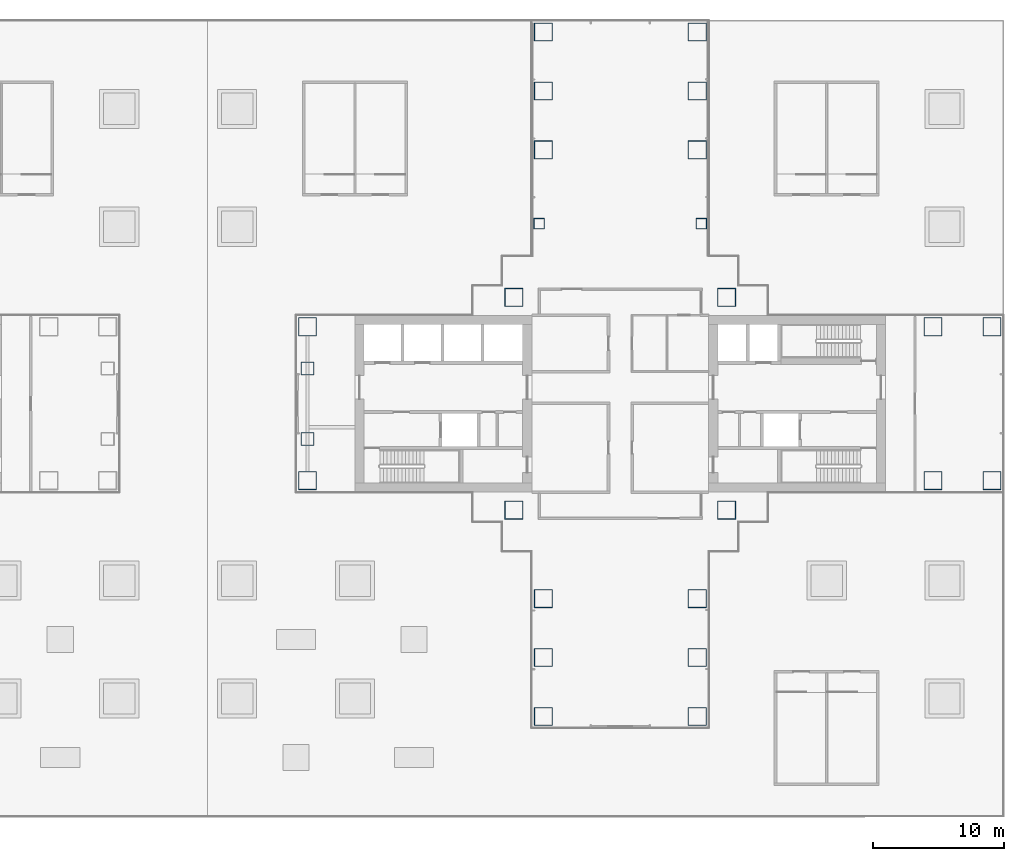
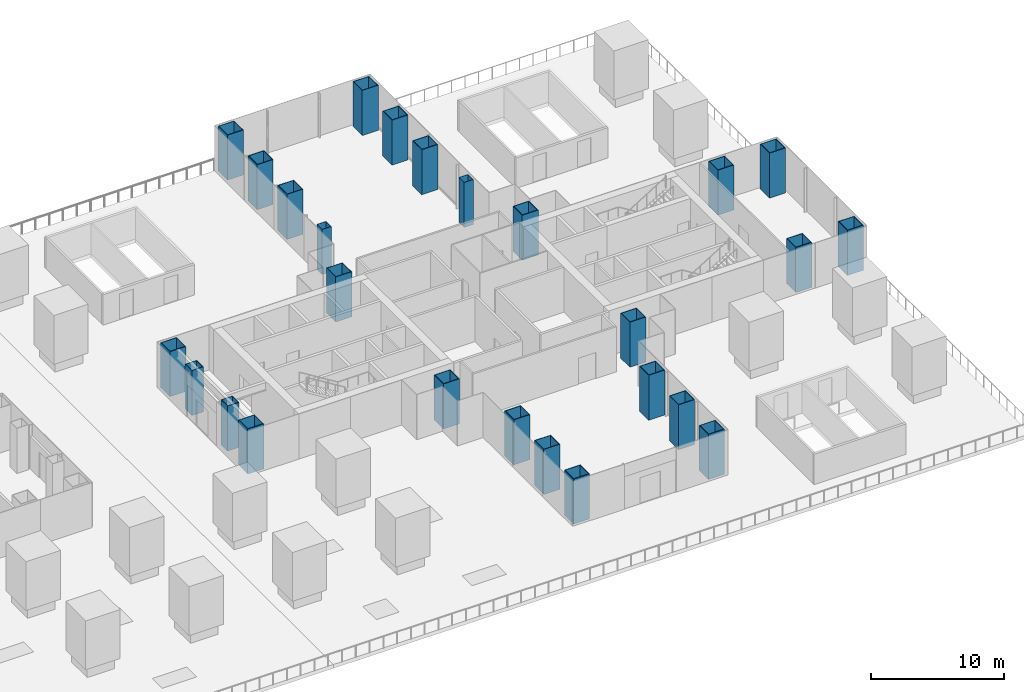
# One storey, part 2 of 23: 26 columns.
"""IFC4 building model written with IfcOpenShell, lengths in metres."""

from ifc_helpers import new_model, si_unit, direction, frame, origin, origin_2d, place, context, subcontext, project, spatial, hollow_rectangle, extrude, material, material_profile, profile_set, type_object, element, save


model = new_model("IFC4")

# Units and contexts
model_context = context("Model", 3, precision=1e-05, world=origin(), true_north=direction((0.0, 1.0)))
body_context = subcontext(model_context, "Body", "Model", "MODEL_VIEW")
ifc_project = project(units=[si_unit("LENGTHUNIT", "METRE"), si_unit("AREAUNIT", "SQUARE_METRE"), si_unit("VOLUMEUNIT", "CUBIC_METRE"), si_unit("PLANEANGLEUNIT", "RADIAN"), si_unit("MASSUNIT", "GRAM", prefix="KILO")], contexts=[model_context])

# Site, building, storey
site_placement = place(None, origin())
site = spatial("IfcSite", under=ifc_project, at=site_placement, CompositionType="ELEMENT")
building_placement = place(site_placement, origin())
building = spatial("IfcBuilding", under=site, at=building_placement, Name="Shamsa Quay Exchange Towers", CompositionType="ELEMENT")
storey_placement = place(building_placement, frame((0.0, 0.0, 28.5)))
storey = spatial("IfcBuildingStorey", under=building, at=storey_placement, Name="L05", CompositionType="ELEMENT", Elevation=28.5)

# Columns
ifc_material_1 = material(Name="Concrete-filled steel tube S355 / C80/95", Category="concrete")
ifc_material_profile_1 = material_profile(ifc_material_1, hollow_rectangle(XDim=1.39990234375, YDim=1.39990234375, WallThickness=0.050048828125, at=origin_2d()), Name="CFT 1400x1400x50")
ifc_profile_set_1 = profile_set([ifc_material_profile_1], Name="Concrete-filled steel tube S355 / C80/95")
column_type_1 = type_object("IfcColumnType", Name="Column CFT 1400x1400x50", PredefinedType="COLUMN", material=ifc_profile_set_1)
for number, where, name in (
    (1, (25.625, 8.125, 0.0), "Mega column T2-CM01"),
    (2, (41.875, 8.125, 0.0), "Mega column T2-CM02"),
    (3, (25.625, -8.125, 0.0), "Mega column T2-CM03"),
    (4, (41.875, -8.125, 0.0), "Mega column T2-CM04"),
    (5, (39.625, 19.375, 0.0), "Mega column T2-CM06"),
    (6, (39.625, 23.875, 0.0), "Mega column T2-CM07"),
    (7, (39.625, 28.375, 0.0), "Mega column T2-CM08"),
    (8, (27.875, 19.375, 0.0), "Mega column T2-CM10"),
    (9, (27.875, 23.875, 0.0), "Mega column T2-CM11"),
    (10, (27.875, 28.375, 0.0), "Mega column T2-CM12"),
    (11, (39.625, -14.875, 0.0), "Mega column T2-CM13"),
    (12, (39.625, -19.375, 0.0), "Mega column T2-CM14"),
    (13, (39.625, -23.875, 0.0), "Mega column T2-CM15"),
    (14, (27.875, -14.875, 0.0), "Mega column T2-CM16"),
    (15, (27.875, -19.375, 0.0), "Mega column T2-CM17"),
    (16, (27.875, -23.875, 0.0), "Mega column T2-CM18"),
    (17, (9.875, -5.875, 0.0), "Mega column T2-CM19"),
    (18, (9.875, 5.875, 0.0), "Mega column T2-CM20"),
    (19, (57.625, -5.875, 0.0), "Mega column T2-CM21"),
    (20, (62.125, -5.875, 0.0), "Mega column T2-CM22"),
    (21, (57.625, 5.875, 0.0), "Mega column T2-CM23"),
    (22, (62.125, 5.875, 0.0), "Mega column T2-CM24"),
):
    element("IfcColumn", number, at=place(storey_placement, frame(where)), inside=storey, type_object=column_type_1, Name=name, PredefinedType="COLUMN", context=body_context, shape_type="SweptSolid", body=[
        extrude(hollow_rectangle(XDim=1.39990234375, YDim=1.39990234375, WallThickness=0.050048828125, at=origin_2d()), origin(), (0.0, 0.0, 1.0), 4.14990234375),
    ])
ifc_material_2 = material(Name="Concrete-filled steel tube S355 / C60/75", Category="concrete")
ifc_material_profile_2 = material_profile(ifc_material_2, hollow_rectangle(XDim=0.800048828125, YDim=0.800048828125, WallThickness=0.02490234375, at=origin_2d()), Name="CFT 800x800x25")
ifc_profile_set_2 = profile_set([ifc_material_profile_2], Name="Concrete-filled steel tube S355 / C60/75")
column_type_2 = type_object("IfcColumnType", Name="Column CFT 800x800x25", PredefinedType="COLUMN", material=ifc_profile_set_2)
for number, where, name in (
    (23, (39.9375, 13.75, 0.0), "Perimeter column T2-CP05"),
    (24, (27.5625, 13.75, 0.0), "Perimeter column T2-CP09"),
):
    element("IfcColumn", number, at=place(storey_placement, frame(where)), inside=storey, type_object=column_type_2, Name=name, PredefinedType="COLUMN", context=body_context, shape_type="SweptSolid", body=[
        extrude(hollow_rectangle(XDim=0.800048828125, YDim=0.800048828125, WallThickness=0.02490234375, at=origin_2d()), origin(), (0.0, 0.0, 1.0), 4.14990234375),
    ])
ifc_material_3 = material(Name="Concrete-filled steel tube S355 / C70/85", Category="concrete")
ifc_material_profile_3 = material_profile(ifc_material_3, hollow_rectangle(XDim=1.0, YDim=1.0, WallThickness=0.0400390625, at=origin_2d()), Name="CFT 1000x1000x40")
ifc_profile_set_3 = profile_set([ifc_material_profile_3], Name="Concrete-filled steel tube S355 / C70/85")
column_type_3 = type_object("IfcColumnType", Name="Landing column CFT 1000x1000x40", PredefinedType="COLUMN", material=ifc_profile_set_3)
for number, where, name in (
    (25, (9.875, -2.699951171875, 0.0), "Landing column T2 S"),
    (26, (9.875, 2.699951171875, 0.0), "Landing column T2 N"),
):
    element("IfcColumn", number, at=place(storey_placement, frame(where)), inside=storey, type_object=column_type_3, Name=name, PredefinedType="COLUMN", context=body_context, shape_type="SweptSolid", body=[
        extrude(hollow_rectangle(XDim=1.0, YDim=1.0, WallThickness=0.0400390625, at=origin_2d()), origin(), (0.0, 0.0, 1.0), 4.14990234375),
    ])

save(model, "model.ifc")
